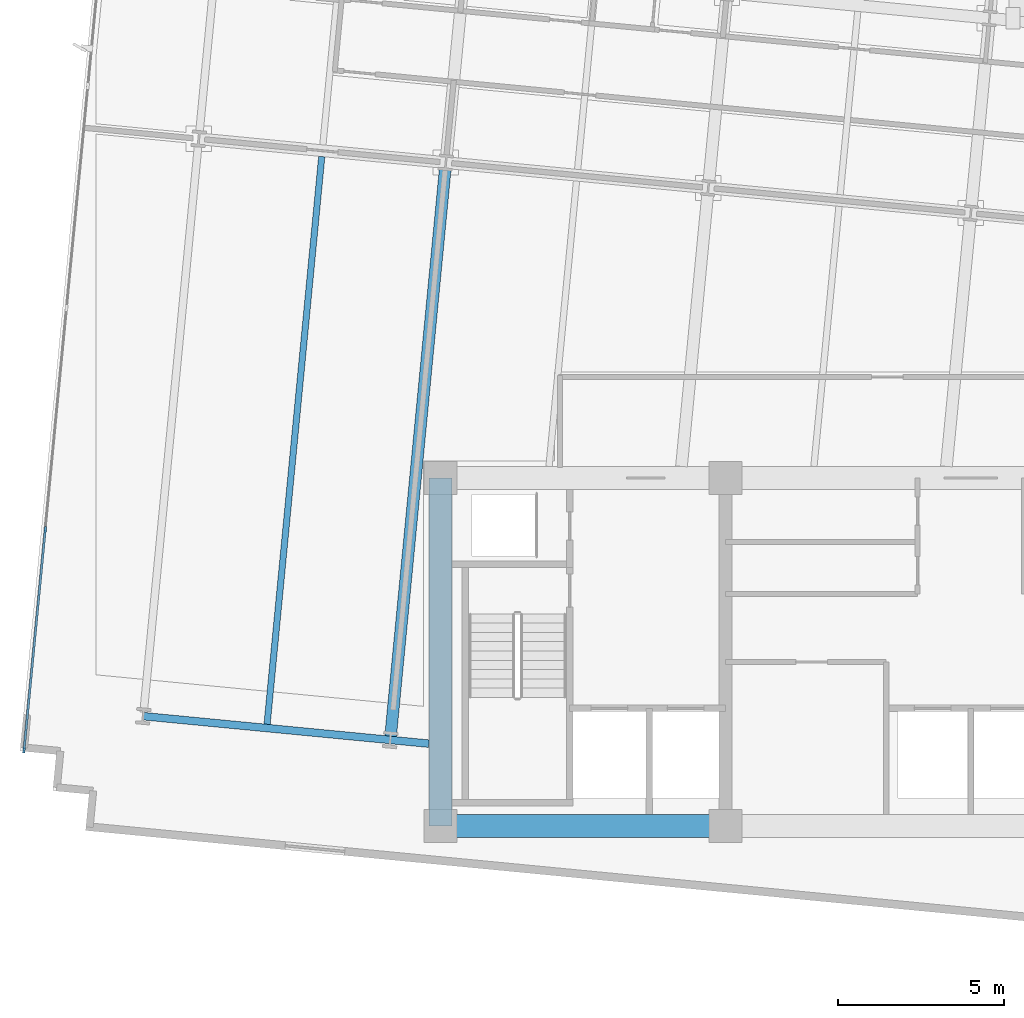
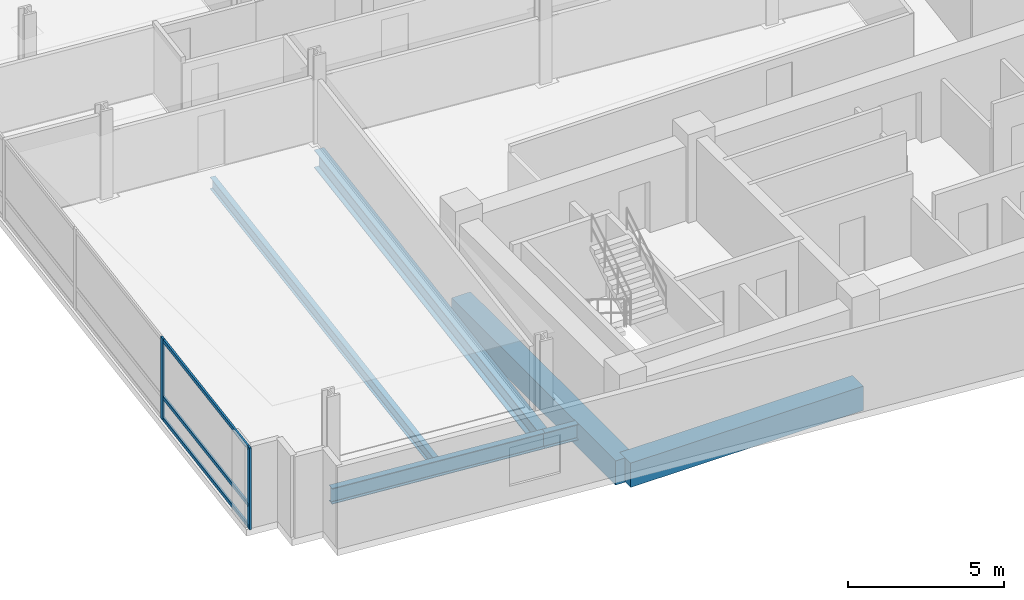
# One storey, part 2 of 17: 6 beams, 5 members, 1 element without a shape of its own.
"""IFC4 building model written with IfcOpenShell, lengths in metres."""

import ifcopenshell
import ifcopenshell.guid

model = None  # the IFC model being written
_history = None  # IfcOwnerHistory: only IFC2X3 demands one
_inside = {}  # id of a spatial element -> (the spatial element, [elements in it])
_under = {}  # id of a project, library or spatial element -> (it, [spatial elements below it])
_declared = {}  # id of a project -> (the project, [libraries it declares])
_typed = {}  # id of a type object -> (the type object, [elements of that type])
_made_of = {}  # id of a material, layer set ... -> (it, [elements and type objects made of it])


def new_model(schema):
    """Start an empty IFC model of exactly this schema.

    Asked for "IFC4X3", IfcOpenShell would pick the latest addendum, in which some entities
    have other attributes; the version numbers below select the first issue.
    IFC2X3 requires an IfcOwnerHistory on every rooted entity: one is made here for all.
    """
    global model, _history
    if schema == "IFC4X3":
        model = ifcopenshell.file(schema_version=(4, 3, 0, 0))
    else:
        model = ifcopenshell.file(schema=schema)
    _inside.clear()
    _under.clear()
    _declared.clear()
    _typed.clear()
    _made_of.clear()
    _history = None
    if model.schema == "IFC2X3":
        org = make("IfcOrganization", Name="unknown")
        user = make(
            "IfcPersonAndOrganization",
            ThePerson=make("IfcPerson", FamilyName="unknown"),
            TheOrganization=org,
        )
        app = make(
            "IfcApplication",
            ApplicationDeveloper=org,
            Version="unknown",
            ApplicationFullName="unknown",
            ApplicationIdentifier="unknown",
        )
        _history = make(
            "IfcOwnerHistory",
            OwningUser=user,
            OwningApplication=app,
            ChangeAction="ADDED",
            CreationDate=0,
        )
    return model


def make(cls, **values):
    """One entity of the class cls with the attributes given. An attribute that is None is left unset."""
    return model.create_entity(
        cls, **{name: value for name, value in values.items() if value is not None}
    )


def rooted(cls, **values):
    """An entity with a GlobalId (a new one), such as an element, a storey or a relation."""
    return make(cls, GlobalId=ifcopenshell.guid.new(), OwnerHistory=_history, **values)


def si_unit(unit_type, name, prefix=None):
    """IfcSIUnit, for example si_unit("LENGTHUNIT", "METRE", prefix="MILLI")."""
    return make("IfcSIUnit", UnitType=unit_type, Prefix=prefix, Name=name)


def assignment(units):
    """IfcUnitAssignment: the units of a project."""
    return None if units is None else make("IfcUnitAssignment", Units=units)


def point(xyz):
    """IfcCartesianPoint."""
    return None if xyz is None else make("IfcCartesianPoint", Coordinates=xyz)


def direction(xyz):
    """IfcDirection."""
    return None if xyz is None else make("IfcDirection", DirectionRatios=xyz)


def frame(location, z_axis=None, x_axis=None):
    """IfcAxis2Placement3D, a coordinate frame: its origin and axes. An axis left out is left unset."""
    return make(
        "IfcAxis2Placement3D",
        Location=point(location),
        Axis=direction(z_axis),
        RefDirection=direction(x_axis),
    )


def frame_2d(location, x_axis=None):
    """IfcAxis2Placement2D, a coordinate frame in the plane: its origin and x axis."""
    return make(
        "IfcAxis2Placement2D", Location=point(location), RefDirection=direction(x_axis)
    )


def origin():
    """The frame at (0, 0, 0) with its axes left unset."""
    return frame((0.0, 0.0, 0.0))


def origin_2d():
    """The frame at (0, 0) in the plane with its x axis left unset."""
    return frame_2d((0.0, 0.0))


def place(relative_to, where):
    """IfcLocalPlacement: puts the frame where relative to a parent placement (None: the world)."""
    return make(
        "IfcLocalPlacement", PlacementRelTo=relative_to, RelativePlacement=where
    )


def context(
    kind, dimensions, precision=None, world=None, true_north=None, identifier=None
):
    """IfcGeometricRepresentationContext, for example the 3D "Model" context."""
    return make(
        "IfcGeometricRepresentationContext",
        ContextIdentifier=identifier,
        ContextType=kind,
        CoordinateSpaceDimension=dimensions,
        Precision=precision,
        WorldCoordinateSystem=world,
        TrueNorth=true_north,
    )


def subcontext(parent, identifier, kind, view, scale=None):
    """IfcGeometricRepresentationSubContext, for example "Body" below "Model"."""
    return make(
        "IfcGeometricRepresentationSubContext",
        ContextIdentifier=identifier,
        ContextType=kind,
        ParentContext=parent,
        TargetScale=scale,
        TargetView=view,
    )


def project(units=None, contexts=None):
    """IfcProject with its units and contexts."""
    return rooted(
        "IfcProject",
        Name="project",
        RepresentationContexts=contexts,
        UnitsInContext=assignment(units),
    )


def spatial(cls, under=None, at=None, **own):
    """A site, building, storey or space (cls), placed at a placement, below another one or the project."""
    s = rooted(cls, ObjectPlacement=at, **own)
    if under is not None:
        _under.setdefault(under.id(), (under, []))[1].append(s)
    return s


def profile(cls, at=None, kind="AREA", **sizes):
    """A parametric profile (cls). Its sizes go by their IFC names, for example OverallWidth=200.0."""
    return make(cls, ProfileType=kind, Position=at, **sizes)


def rectangle(**sizes):
    """IfcRectangleProfileDef."""
    return profile("IfcRectangleProfileDef", **sizes)


def i_section(**sizes):
    """IfcIShapeProfileDef."""
    return profile("IfcIShapeProfileDef", **sizes)


def extrude(swept, where, along, depth):
    """IfcExtrudedAreaSolid: the profile swept, set in the frame where, extruded along a direction by depth."""
    return make(
        "IfcExtrudedAreaSolid",
        SweptArea=swept,
        Position=where,
        ExtrudedDirection=direction(along),
        Depth=depth,
    )


def shape(context_of_items, identifier, shape_type, items):
    """IfcShapeRepresentation: the items that make up one representation, for example the "Body"."""
    return make(
        "IfcShapeRepresentation",
        ContextOfItems=context_of_items,
        RepresentationIdentifier=identifier,
        RepresentationType=shape_type,
        Items=items,
    )


def material(Name=None, Category=None):
    """IfcMaterial."""
    return make("IfcMaterial", Name=Name, Category=Category)


def material_profile(
    of_material, cross_section, Name=None, Category=None, Priority=None
):
    """IfcMaterialProfile: a cross section and its material."""
    return make(
        "IfcMaterialProfile",
        Name=Name,
        Material=of_material,
        Profile=cross_section,
        Priority=Priority,
        Category=Category,
    )


def profile_set(profiles, Name=None, composite=None):
    """IfcMaterialProfileSet."""
    return make(
        "IfcMaterialProfileSet",
        Name=Name,
        MaterialProfiles=profiles,
        CompositeProfile=composite,
    )


def made_of(thing, what):
    """Note that an element or type object is made of a material, layer set ...; save() writes the relation."""
    if what is not None:
        _made_of.setdefault(what.id(), (what, []))[1].append(thing)
    return thing


def type_object(cls, material=None, **own):
    """A type object (cls), such as IfcWallType, which elements share."""
    return made_of(rooted(cls, **own), material)


def element(
    cls,
    number,
    at=None,
    inside=None,
    cuts=None,
    type_object=None,
    material=None,
    context=None,
    identifier="Body",
    shape_type=None,
    held_by="IfcProductDefinitionShape",
    body=None,
    shapes=None,
    **own,
):
    """One element of the class cls, such as IfcWall. Its Tag is "e" and its number.

    at: its placement. inside: the storey or other place that contains it. cuts: it is an
    opening in that element (IfcRelVoidsElement). A single representation is given by context,
    identifier, shape_type and body (its items); several are given by shapes. held_by: the class
    of the entity that holds the representations. save() writes the other relations.
    """
    e = rooted(cls, Tag="e%d" % number, ObjectPlacement=at, **own)
    if body is not None:
        shapes = [shape(context, identifier, shape_type, body)]
    if shapes is not None:
        e.Representation = make(held_by, Representations=shapes)
    if inside is not None:
        _inside.setdefault(inside.id(), (inside, []))[1].append(e)
    if cuts is not None:
        rooted(
            "IfcRelVoidsElement", RelatingBuildingElement=cuts, RelatedOpeningElement=e
        )
    if type_object is not None:
        _typed.setdefault(type_object.id(), (type_object, []))[1].append(e)
    return made_of(e, material)


def aggregate(whole, parts):
    """IfcRelAggregates: a whole, such as a stair, and the parts it consists of."""
    return rooted("IfcRelAggregates", RelatingObject=whole, RelatedObjects=parts)


def save(model, path):
    """Write the relations noted so far, then the file.

    IfcRelAggregates (storeys below a building ...), IfcRelContainedInSpatialStructure (elements
    in a storey), IfcRelDefinesByType, IfcRelAssociatesMaterial and IfcRelDeclares: one each for
    every whole, place, type object, material and project.
    """
    for whole, parts in _under.values():
        aggregate(whole, parts)
    for where, things in _inside.values():
        rooted(
            "IfcRelContainedInSpatialStructure",
            RelatedElements=things,
            RelatingStructure=where,
        )
    for kind, things in _typed.values():
        rooted("IfcRelDefinesByType", RelatedObjects=things, RelatingType=kind)
    for what, things in _made_of.values():
        rooted("IfcRelAssociatesMaterial", RelatedObjects=things, RelatingMaterial=what)
    for by, libraries in _declared.values():
        rooted("IfcRelDeclares", RelatingContext=by, RelatedDefinitions=libraries)
    model.write(path)


model = new_model("IFC4")

# Units and contexts
model_context = context("Model", 3, precision=1e-05, world=origin(), true_north=direction((0.0, 1.0)))
body_context = subcontext(model_context, "Body", "Model", "MODEL_VIEW")
ifc_project = project(units=[si_unit("LENGTHUNIT", "METRE"), si_unit("AREAUNIT", "SQUARE_METRE"), si_unit("VOLUMEUNIT", "CUBIC_METRE"), si_unit("PLANEANGLEUNIT", "RADIAN"), si_unit("MASSUNIT", "GRAM", prefix="KILO")], contexts=[model_context])

# Site, building, storey
site_placement = place(None, origin())
site = spatial("IfcSite", under=ifc_project, at=site_placement, CompositionType="ELEMENT")
building_placement = place(site_placement, origin())
building = spatial("IfcBuilding", under=site, at=building_placement, Name="Solmavex Isthmus Hotel", CompositionType="ELEMENT")
storey_placement = place(building_placement, frame((0.0, 0.0, 173.85009765625)))
storey = spatial("IfcBuildingStorey", under=building, at=storey_placement, Name="L47", CompositionType="ELEMENT", Elevation=173.85009765625)

# Beams
ifc_material_1 = material(Name="Steel ASTM A992 Grade 50", Category="steel")
ifc_material_profile_1 = material_profile(ifc_material_1, i_section(OverallWidth=0.354736328125, OverallDepth=0.695556640625, WebThickness=0.015380859375, FlangeThickness=0.02490234375, FilletRadius=0.017822265625, at=origin_2d()), Name="W27X146")
ifc_profile_set_1 = profile_set([ifc_material_profile_1], Name="Steel ASTM A992 Grade 50")
beam_type_1 = type_object("IfcBeamType", Name="BM-BG-W27X146", PredefinedType="BEAM", material=ifc_profile_set_1)
beam_1_placement = place(storey_placement, frame((-17.503662109375, -10.289306640625, -0.60791015625), z_axis=(0.095840821687, 0.99539667314, 0.0), x_axis=(-0.99539667314, 0.095840821687, 0.0)))
element("IfcBeam", 1, at=beam_1_placement, inside=storey, type_object=beam_type_1, Name="Floor Beam L47-VG24", PredefinedType="BEAM", context=body_context, shape_type="SweptSolid", body=[
    extrude(i_section(OverallWidth=0.354736328125, OverallDepth=0.695556640625, WebThickness=0.015380859375, FlangeThickness=0.02490234375, FilletRadius=0.017822265625, at=origin_2d()), origin(), (0.0, 0.0, 1.0), 17.207275390625),
])
ifc_material_profile_2 = material_profile(ifc_material_1, i_section(OverallWidth=0.1904296875, OverallDepth=0.456787109375, WebThickness=0.009033203125, FlangeThickness=0.014404296875, FilletRadius=0.0126953125, at=origin_2d()), Name="W18X50")
ifc_profile_set_2 = profile_set([ifc_material_profile_2], Name="Steel ASTM A992 Grade 50")
beam_type_2 = type_object("IfcBeamType", Name="BM-BJ-W18X50", PredefinedType="JOIST", material=ifc_profile_set_2)
beam_2_placement = place(storey_placement, frame((-21.23046875, -9.930419921875, -0.488525390625), z_axis=(0.095840821687, 0.99539667314, 0.0), x_axis=(-0.99539667314, 0.095840821687, 0.0)))
element("IfcBeam", 2, at=beam_2_placement, inside=storey, type_object=beam_type_2, Name="Secondary Floor Joist L47-J01", PredefinedType="JOIST", context=body_context, shape_type="SweptSolid", body=[
    extrude(i_section(OverallWidth=0.1904296875, OverallDepth=0.456787109375, WebThickness=0.009033203125, FlangeThickness=0.014404296875, FilletRadius=0.0126953125, at=origin_2d()), origin(), (0.0, 0.0, 1.0), 17.207275390625),
])
ifc_material_2 = material(Name="Concrete C60/75", Category="concrete")
ifc_material_profile_3 = material_profile(ifc_material_2, rectangle(XDim=0.699951171875, YDim=0.949951171875, at=origin_2d()), Name="RC700X950")
ifc_profile_set_3 = profile_set([ifc_material_profile_3], Name="Concrete C60/75")
beam_type_3 = type_object("IfcBeamType", Name="BM-CB-700X950", PredefinedType="BEAM", material=ifc_profile_set_3)
beam_3_placement = place(storey_placement, frame((-16.0, -13.0, -0.735107421875), z_axis=(1.0, 0.0, 0.0), x_axis=(0.0, 1.0, 0.0)))
element("IfcBeam", 3, at=beam_3_placement, inside=storey, type_object=beam_type_3, Name="Core Coupling Beam L47-CB1", PredefinedType="BEAM", context=body_context, shape_type="SweptSolid", body=[
    extrude(rectangle(XDim=0.699951171875, YDim=0.949951171875, at=origin_2d()), origin(), (0.0, 0.0, 1.0), 8.60009765625),
])
beam_4_placement = place(storey_placement, frame((-16.0, -13.0, -0.735107421875), z_axis=(0.0, 1.0, 0.0), x_axis=(-1.0, 0.0, 0.0)))
element("IfcBeam", 4, at=beam_4_placement, inside=storey, type_object=beam_type_3, Name="Core Coupling Beam L47-CB7", PredefinedType="BEAM", context=body_context, shape_type="SweptSolid", body=[
    extrude(rectangle(XDim=0.699951171875, YDim=0.949951171875, at=origin_2d()), origin(), (0.0, 0.0, 1.0), 10.5),
])
ifc_material_profile_4 = material_profile(ifc_material_1, i_section(OverallWidth=0.230224609375, OverallDepth=0.617431640625, WebThickness=0.01318359375, FlangeThickness=0.022216796875, FilletRadius=0.01513671875, at=origin_2d()), Name="W24X94")
ifc_profile_set_4 = profile_set([ifc_material_profile_4], Name="Steel ASTM A992 Grade 50")
beam_type_4 = type_object("IfcBeamType", Name="BM-SP-W24X94", PredefinedType="SPANDREL", material=ifc_profile_set_4)
beam_5_placement = place(storey_placement, frame((-24.96826171875, -9.686279296875, -0.56884765625), z_axis=(0.995395279593, -0.095855293875, 0.0), x_axis=(0.095855293875, 0.995395279593, 0.0)))
element("IfcBeam", 5, at=beam_5_placement, inside=storey, type_object=beam_type_4, Name="Floor Girder L47-UG01", PredefinedType="SPANDREL", context=body_context, shape_type="SweptSolid", body=[
    extrude(i_section(OverallWidth=0.230224609375, OverallDepth=0.617431640625, WebThickness=0.01318359375, FlangeThickness=0.022216796875, FilletRadius=0.01513671875, at=origin_2d()), origin(), (0.0, 0.0, 1.0), 7.488037109375),
])
beam_6_placement = place(storey_placement, frame((-17.5146484375, -10.404052734375, -0.56884765625), z_axis=(0.995402144456, -0.095783979938, 0.0), x_axis=(0.095783979938, 0.995402144456, 0.0)))
element("IfcBeam", 6, at=beam_6_placement, inside=storey, type_object=beam_type_4, Name="Floor Girder L47-UG02", PredefinedType="SPANDREL", context=body_context, shape_type="SweptSolid", body=[
    extrude(i_section(OverallWidth=0.230224609375, OverallDepth=0.617431640625, WebThickness=0.01318359375, FlangeThickness=0.022216796875, FilletRadius=0.01513671875, at=origin_2d()), origin(), (0.0, 0.0, 1.0), 1.169921875),
])

# Curtain wall, members
ifc_material_3 = material(Name="Aluminium alloy 6063-T6", Category="aluminium")
curtain_wall_type = type_object("IfcCurtainWallType", Name="CW-SYS-03", PredefinedType="NOTDEFINED", material=ifc_material_3)
curtain_wall_placement = place(storey_placement, origin())
curtain_wall = element("IfcCurtainWall", 7, at=curtain_wall_placement, inside=storey, type_object=curtain_wall_type, Name="Stick Curtain Wall CWL-L47-W1", PredefinedType="NOTDEFINED")
ifc_material_profile_5 = material_profile(ifc_material_3, rectangle(XDim=0.070068359375, YDim=0.179931640625, at=origin_2d()), Name="CWM-70X180")
ifc_profile_set_5 = profile_set([ifc_material_profile_5], Name="Aluminium alloy 6063-T6")
member_type_1 = type_object("IfcMemberType", Name="CW-SYS-03-MUL", PredefinedType="MULLION", material=ifc_profile_set_5)
member_1_placement = place(storey_placement, frame((-28.56298828125, -10.71142578125, 0.0), z_axis=(0.0, 0.0, 1.0), x_axis=(-0.995396190038, 0.09584583902, 0.0)))
member_1 = element("IfcMember", 8, at=member_1_placement, type_object=member_type_1, Name="CW-03 mullion 1", PredefinedType="MULLION", context=body_context, shape_type="SweptSolid", body=[
    extrude(rectangle(XDim=0.070068359375, YDim=0.179931640625, at=origin_2d()), origin(), (0.0, 0.0, 1.0), 3.18994140625),
])
member_2_placement = place(storey_placement, frame((-27.92236328125, -4.057373046875, 0.0), z_axis=(0.0, 0.0, 1.0), x_axis=(-0.995396190038, 0.09584583902, 0.0)))
member_2 = element("IfcMember", 9, at=member_2_placement, type_object=member_type_1, Name="CW-03 mullion 2", PredefinedType="MULLION", context=body_context, shape_type="SweptSolid", body=[
    extrude(rectangle(XDim=0.070068359375, YDim=0.179931640625, at=origin_2d()), origin(), (0.0, 0.0, 1.0), 3.18994140625),
])
ifc_material_profile_6 = material_profile(ifc_material_3, rectangle(XDim=0.070068359375, YDim=0.139892578125, at=origin_2d()), Name="CWT-70X140")
ifc_profile_set_6 = profile_set([ifc_material_profile_6], Name="Aluminium alloy 6063-T6")
member_type_2 = type_object("IfcMemberType", Name="CW-SYS-03-TRN", PredefinedType="USERDEFINED", material=ifc_profile_set_6)
member_3_placement = place(storey_placement, frame((-28.559814453125, -10.6767578125, 0.06982421875), z_axis=(0.095845316679, 0.995396240334, 0.0), x_axis=(-0.995396240334, 0.095845316679, 0.0)))
member_3 = element("IfcMember", 10, at=member_3_placement, type_object=member_type_2, Name="CW-03 transom 1.1", ObjectType="TRANSOM", PredefinedType="USERDEFINED", context=body_context, shape_type="SweptSolid", body=[
    extrude(rectangle(XDim=0.070068359375, YDim=0.139892578125, at=origin_2d()), origin(), (0.0, 0.0, 1.0), 6.615234375),
])
member_4_placement = place(storey_placement, frame((-28.559814453125, -10.6767578125, 0.89990234375), z_axis=(0.095845316679, 0.995396240334, 0.0), x_axis=(-0.995396240334, 0.095845316679, 0.0)))
member_4 = element("IfcMember", 11, at=member_4_placement, type_object=member_type_2, Name="CW-03 transom 1.2", ObjectType="TRANSOM", PredefinedType="USERDEFINED", context=body_context, shape_type="SweptSolid", body=[
    extrude(rectangle(XDim=0.070068359375, YDim=0.139892578125, at=origin_2d()), origin(), (0.0, 0.0, 1.0), 6.615234375),
])
member_5_placement = place(storey_placement, frame((-28.559814453125, -10.6767578125, 3.119873046875), z_axis=(0.095845316679, 0.995396240334, 0.0), x_axis=(-0.995396240334, 0.095845316679, 0.0)))
member_5 = element("IfcMember", 12, at=member_5_placement, type_object=member_type_2, Name="CW-03 transom 1.3", ObjectType="TRANSOM", PredefinedType="USERDEFINED", context=body_context, shape_type="SweptSolid", body=[
    extrude(rectangle(XDim=0.070068359375, YDim=0.139892578125, at=origin_2d()), origin(), (0.0, 0.0, 1.0), 6.615234375),
])
aggregate(curtain_wall, [member_1, member_2, member_3, member_4, member_5])

save(model, "model.ifc")
